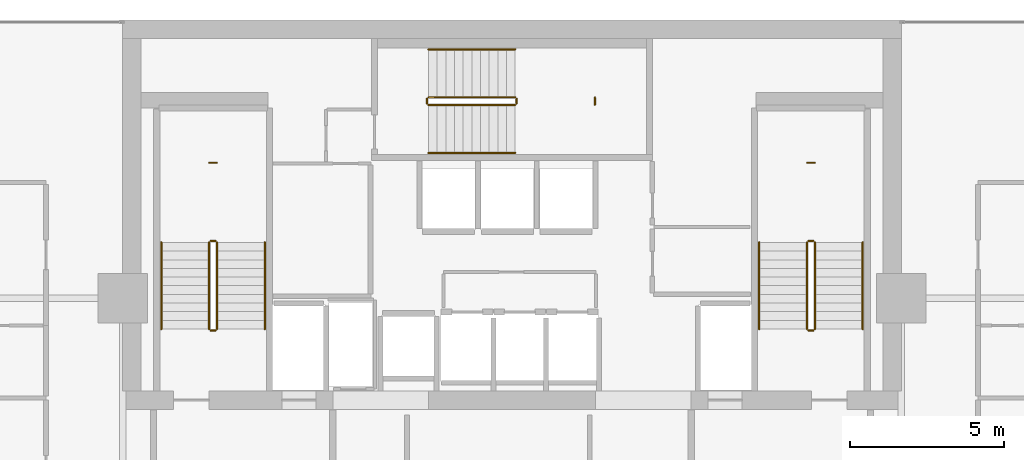
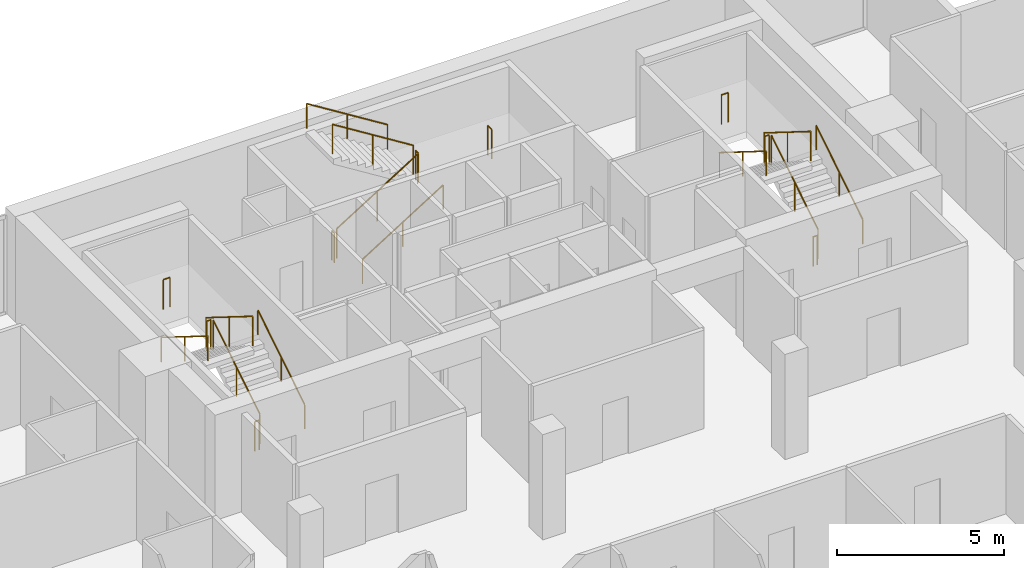
# One storey, part 25 of 25: 21 railings.
"""IFC4 building model written with IfcOpenShell, lengths in metres."""

from ifc_helpers import new_model, si_unit, direction, frame, origin, origin_2d, place, context, subcontext, project, spatial, circle, extrude, material, type_object, element, save


model = new_model("IFC4")

# Units and contexts
model_context = context("Model", 3, precision=1e-05, world=origin(), true_north=direction((0.0, 1.0)))
body_context = subcontext(model_context, "Body", "Model", "MODEL_VIEW")
ifc_project = project(units=[si_unit("LENGTHUNIT", "METRE"), si_unit("AREAUNIT", "SQUARE_METRE"), si_unit("VOLUMEUNIT", "CUBIC_METRE"), si_unit("PLANEANGLEUNIT", "RADIAN"), si_unit("MASSUNIT", "GRAM", prefix="KILO")], contexts=[model_context])

# Site, building, storey
site_placement = place(None, origin())
site = spatial("IfcSite", under=ifc_project, at=site_placement, CompositionType="ELEMENT")
building_placement = place(site_placement, origin())
building = spatial("IfcBuilding", under=site, at=building_placement, Name="Maruvema Waterfront Hotel and Observation Tower", CompositionType="ELEMENT")
storey_placement = place(building_placement, frame((0.0, 0.0, 270.199951171875)))
storey = spatial("IfcBuildingStorey", under=building, at=storey_placement, Name="L66", CompositionType="ELEMENT", Elevation=270.199951171875)

# Railings
ifc_material_1 = material(Name="Brushed stainless steel Grade 316", Category="steel")
railing_type_1 = type_object("IfcRailingType", Name="Ramp Continuous Wall Handrail 920 mm", PredefinedType="HANDRAIL", material=ifc_material_1)
railing_1_placement = place(storey_placement, frame((29.800048828125, 44.0, 0.175048828125)))
element("IfcRailing", 1, at=railing_1_placement, inside=storey, type_object=railing_type_1, Name="L66 ST-01 stair handrail 1", PredefinedType="HANDRAIL", context=body_context, shape_type="SweptSolid", body=[
    extrude(circle(Radius=0.02392578125, at=origin_2d()), frame((0.0, 0.0, 0.89599609375), z_axis=(0.0, 0.848002457836, 0.529992293815), x_axis=(-1.0, 0.0, 0.0)), (0.0, 0.0, 1.0), 3.302001953125),
    extrude(circle(Radius=0.02099609375, at=origin_2d()), origin(), (0.0, 0.0, 1.0), 0.871826171875),
    extrude(circle(Radius=0.02099609375, at=origin_2d()), frame((0.0, 1.39990234375, 0.875)), (0.0, 0.0, 1.0), 0.871826171875),
    extrude(circle(Radius=0.02099609375, at=origin_2d()), frame((0.0, 2.800048828125, 1.75)), (0.0, 0.0, 1.0), 0.871826171875),
])
railing_2_placement = place(storey_placement, frame((26.449951171875, 46.800048828125, 2.10009765625)))
element("IfcRailing", 2, at=railing_2_placement, inside=storey, type_object=railing_type_1, Name="L66 ST-01 stair handrail 2", PredefinedType="HANDRAIL", context=body_context, shape_type="SweptSolid", body=[
    extrude(circle(Radius=0.02392578125, at=origin_2d()), frame((0.0, 0.0, 0.89599609375), z_axis=(0.0, -0.848002457836, 0.529992293815), x_axis=(1.0, 0.0, 0.0)), (0.0, 0.0, 1.0), 3.302001953125),
    extrude(circle(Radius=0.02099609375, at=origin_2d()), origin(), (0.0, 0.0, 1.0), 0.871826171875),
    extrude(circle(Radius=0.02099609375, at=origin_2d()), frame((0.0, -1.39990234375, 0.875)), (0.0, 0.0, 1.0), 0.871826171875),
    extrude(circle(Radius=0.02099609375, at=origin_2d()), frame((0.0, -2.800048828125, 1.75)), (0.0, 0.0, 1.0), 0.871826171875),
])
railing_3_placement = place(storey_placement, frame((35.10009765625, 49.699951171875, 0.175048828125)))
element("IfcRailing", 3, at=railing_3_placement, inside=storey, type_object=railing_type_1, Name="L66 ST-02 stair handrail 1", PredefinedType="HANDRAIL", context=body_context, shape_type="SweptSolid", body=[
    extrude(circle(Radius=0.02392578125, at=origin_2d()), frame((0.0, 0.0, 0.89599609375), z_axis=(0.847981687118, 0.0, 0.530025526095), x_axis=(0.0, 1.0, 0.0)), (0.0, 0.0, 1.0), 3.3017578125),
    extrude(circle(Radius=0.02099609375, at=origin_2d()), origin(), (0.0, 0.0, 1.0), 0.871826171875),
    extrude(circle(Radius=0.02099609375, at=origin_2d()), frame((1.39990234375, 0.0, 0.875)), (0.0, 0.0, 1.0), 0.871826171875),
    extrude(circle(Radius=0.02099609375, at=origin_2d()), frame((2.7998046875, 0.0, 1.75)), (0.0, 0.0, 1.0), 0.871826171875),
])
railing_4_placement = place(storey_placement, frame((37.89990234375, 53.050048828125, 2.10009765625)))
element("IfcRailing", 4, at=railing_4_placement, inside=storey, type_object=railing_type_1, Name="L66 ST-02 stair handrail 2", PredefinedType="HANDRAIL", context=body_context, shape_type="SweptSolid", body=[
    extrude(circle(Radius=0.02392578125, at=origin_2d()), frame((0.0, 0.0, 0.89599609375), z_axis=(-0.847981687118, 0.0, 0.530025526095), x_axis=(0.0, -1.0, 0.0)), (0.0, 0.0, 1.0), 3.3017578125),
    extrude(circle(Radius=0.02099609375, at=origin_2d()), origin(), (0.0, 0.0, 1.0), 0.871826171875),
    extrude(circle(Radius=0.02099609375, at=origin_2d()), frame((-1.39990234375, 0.0, 0.875)), (0.0, 0.0, 1.0), 0.871826171875),
    extrude(circle(Radius=0.02099609375, at=origin_2d()), frame((-2.7998046875, 0.0, 1.75)), (0.0, 0.0, 1.0), 0.871826171875),
])
railing_5_placement = place(storey_placement, frame((49.14990234375, 44.0, 0.175048828125)))
element("IfcRailing", 5, at=railing_5_placement, inside=storey, type_object=railing_type_1, Name="L66 ST-03 stair handrail 1", PredefinedType="HANDRAIL", context=body_context, shape_type="SweptSolid", body=[
    extrude(circle(Radius=0.02392578125, at=origin_2d()), frame((0.0, 0.0, 0.89599609375), z_axis=(0.0, 0.848002457836, 0.529992293815), x_axis=(-1.0, 0.0, 0.0)), (0.0, 0.0, 1.0), 3.302001953125),
    extrude(circle(Radius=0.02099609375, at=origin_2d()), origin(), (0.0, 0.0, 1.0), 0.871826171875),
    extrude(circle(Radius=0.02099609375, at=origin_2d()), frame((0.0, 1.39990234375, 0.875)), (0.0, 0.0, 1.0), 0.871826171875),
    extrude(circle(Radius=0.02099609375, at=origin_2d()), frame((0.0, 2.800048828125, 1.75)), (0.0, 0.0, 1.0), 0.871826171875),
])
railing_6_placement = place(storey_placement, frame((45.800048828125, 46.800048828125, 2.10009765625)))
element("IfcRailing", 6, at=railing_6_placement, inside=storey, type_object=railing_type_1, Name="L66 ST-03 stair handrail 2", PredefinedType="HANDRAIL", context=body_context, shape_type="SweptSolid", body=[
    extrude(circle(Radius=0.02392578125, at=origin_2d()), frame((0.0, 0.0, 0.89599609375), z_axis=(0.0, -0.848002457836, 0.529992293815), x_axis=(1.0, 0.0, 0.0)), (0.0, 0.0, 1.0), 3.302001953125),
    extrude(circle(Radius=0.02099609375, at=origin_2d()), origin(), (0.0, 0.0, 1.0), 0.871826171875),
    extrude(circle(Radius=0.02099609375, at=origin_2d()), frame((0.0, -1.39990234375, 0.875)), (0.0, 0.0, 1.0), 0.871826171875),
    extrude(circle(Radius=0.02099609375, at=origin_2d()), frame((0.0, -2.800048828125, 1.75)), (0.0, 0.0, 1.0), 0.871826171875),
])
ifc_material_2 = material(Name="Brushed stainless steel Grade 316", Category="steel")
railing_type_2 = type_object("IfcRailingType", Name="Ramp and Terrace Guard Balustrade 1100 mm", PredefinedType="BALUSTRADE", material=ifc_material_2)
railing_7_placement = place(storey_placement, frame((28.25, 44.0, 0.175048828125)))
element("IfcRailing", 7, at=railing_7_placement, inside=storey, type_object=railing_type_2, Name="L66 ST-01 stair guard 1", PredefinedType="BALUSTRADE", context=body_context, shape_type="SweptSolid", body=[
    extrude(circle(Radius=0.02392578125, at=origin_2d()), frame((0.0, 0.0, 1.076171875), z_axis=(0.0, 0.848002457836, 0.529992293815), x_axis=(-1.0, 0.0, 0.0)), (0.0, 0.0, 1.0), 3.302001953125),
    extrude(circle(Radius=0.02099609375, at=origin_2d()), origin(), (0.0, 0.0, 1.0), 1.052001953125),
    extrude(circle(Radius=0.02099609375, at=origin_2d()), frame((0.0, 1.39990234375, 0.875)), (0.0, 0.0, 1.0), 1.052001953125),
    extrude(circle(Radius=0.02099609375, at=origin_2d()), frame((0.0, 2.800048828125, 1.75)), (0.0, 0.0, 1.0), 1.052001953125),
])
railing_8_placement = place(storey_placement, frame((28.199951171875, 46.85009765625, 1.925048828125)))
element("IfcRailing", 8, at=railing_8_placement, inside=storey, type_object=railing_type_2, Name="L66 ST-01 stair guard 2", PredefinedType="BALUSTRADE", context=body_context, shape_type="SweptSolid", body=[
    extrude(circle(Radius=0.02392578125, at=origin_2d()), frame((0.0, 0.0, 1.076171875), z_axis=(-1.0, 0.0, 0.0), x_axis=(0.0, -1.0, 0.0)), (0.0, 0.0, 1.0), 0.14990234375),
    extrude(circle(Radius=0.02099609375, at=origin_2d()), origin(), (0.0, 0.0, 1.0), 1.052001953125),
    extrude(circle(Radius=0.02099609375, at=origin_2d()), frame((-0.14990234375, 0.0, 0.0)), (0.0, 0.0, 1.0), 1.052001953125),
])
railing_9_placement = place(storey_placement, frame((28.0, 46.800048828125, 2.10009765625)))
element("IfcRailing", 9, at=railing_9_placement, inside=storey, type_object=railing_type_2, Name="L66 ST-01 stair guard 3", PredefinedType="BALUSTRADE", context=body_context, shape_type="SweptSolid", body=[
    extrude(circle(Radius=0.02392578125, at=origin_2d()), frame((0.0, 0.0, 1.076171875), z_axis=(0.0, -0.848002457836, 0.529992293815), x_axis=(1.0, 0.0, 0.0)), (0.0, 0.0, 1.0), 3.302001953125),
    extrude(circle(Radius=0.02099609375, at=origin_2d()), origin(), (0.0, 0.0, 1.0), 1.052001953125),
    extrude(circle(Radius=0.02099609375, at=origin_2d()), frame((0.0, -1.39990234375, 0.875)), (0.0, 0.0, 1.0), 1.052001953125),
    extrude(circle(Radius=0.02099609375, at=origin_2d()), frame((0.0, -2.800048828125, 1.75)), (0.0, 0.0, 1.0), 1.052001953125),
])
railing_10_placement = place(storey_placement, frame((28.199951171875, 43.949951171875, 0.0)))
element("IfcRailing", 10, at=railing_10_placement, inside=storey, type_object=railing_type_2, Name="L66 ST-01 stair guard 4", PredefinedType="BALUSTRADE", context=body_context, shape_type="SweptSolid", body=[
    extrude(circle(Radius=0.02392578125, at=origin_2d()), frame((0.0, 0.0, 1.076171875), z_axis=(-1.0, 0.0, 0.0), x_axis=(0.0, -1.0, 0.0)), (0.0, 0.0, 1.0), 0.14990234375),
    extrude(circle(Radius=0.02099609375, at=origin_2d()), origin(), (0.0, 0.0, 1.0), 1.052001953125),
    extrude(circle(Radius=0.02099609375, at=origin_2d()), frame((-0.14990234375, 0.0, 0.0)), (0.0, 0.0, 1.0), 1.052001953125),
])
railing_11_placement = place(storey_placement, frame((28.239990234375, 49.3798828125, 1.925048828125)))
element("IfcRailing", 11, at=railing_11_placement, inside=storey, type_object=railing_type_2, Name="L66 ST-01 Half-Landing Slot Guard", PredefinedType="BALUSTRADE", context=body_context, shape_type="SweptSolid", body=[
    extrude(circle(Radius=0.02392578125, at=origin_2d()), frame((0.0, 0.0, 1.076171875), z_axis=(-1.0, 0.0, 0.0), x_axis=(0.0, -1.0, 0.0)), (0.0, 0.0, 1.0), 0.22998046875),
    extrude(circle(Radius=0.02099609375, at=origin_2d()), origin(), (0.0, 0.0, 1.0), 1.052001953125),
    extrude(circle(Radius=0.02099609375, at=origin_2d()), frame((-0.22998046875, 0.0, 0.0)), (0.0, 0.0, 1.0), 1.052001953125),
])
railing_12_placement = place(storey_placement, frame((35.10009765625, 51.25, 0.175048828125)))
element("IfcRailing", 12, at=railing_12_placement, inside=storey, type_object=railing_type_2, Name="L66 ST-02 stair guard 1", PredefinedType="BALUSTRADE", context=body_context, shape_type="SweptSolid", body=[
    extrude(circle(Radius=0.02392578125, at=origin_2d()), frame((0.0, 0.0, 1.076171875), z_axis=(0.847981687118, 0.0, 0.530025526095), x_axis=(0.0, 1.0, 0.0)), (0.0, 0.0, 1.0), 3.3017578125),
    extrude(circle(Radius=0.02099609375, at=origin_2d()), origin(), (0.0, 0.0, 1.0), 1.052001953125),
    extrude(circle(Radius=0.02099609375, at=origin_2d()), frame((1.39990234375, 0.0, 0.875)), (0.0, 0.0, 1.0), 1.052001953125),
    extrude(circle(Radius=0.02099609375, at=origin_2d()), frame((2.7998046875, 0.0, 1.75)), (0.0, 0.0, 1.0), 1.052001953125),
])
railing_13_placement = place(storey_placement, frame((37.949951171875, 51.300048828125, 1.925048828125)))
element("IfcRailing", 13, at=railing_13_placement, inside=storey, type_object=railing_type_2, Name="L66 ST-02 stair guard 2", PredefinedType="BALUSTRADE", context=body_context, shape_type="SweptSolid", body=[
    extrude(circle(Radius=0.02392578125, at=origin_2d()), frame((0.0, 0.0, 1.076171875), z_axis=(0.0, 1.0, 0.0), x_axis=(-1.0, 0.0, 0.0)), (0.0, 0.0, 1.0), 0.14990234375),
    extrude(circle(Radius=0.02099609375, at=origin_2d()), origin(), (0.0, 0.0, 1.0), 1.052001953125),
    extrude(circle(Radius=0.02099609375, at=origin_2d()), frame((0.0, 0.14990234375, 0.0)), (0.0, 0.0, 1.0), 1.052001953125),
])
railing_14_placement = place(storey_placement, frame((37.89990234375, 51.5, 2.10009765625)))
element("IfcRailing", 14, at=railing_14_placement, inside=storey, type_object=railing_type_2, Name="L66 ST-02 stair guard 3", PredefinedType="BALUSTRADE", context=body_context, shape_type="SweptSolid", body=[
    extrude(circle(Radius=0.02392578125, at=origin_2d()), frame((0.0, 0.0, 1.076171875), z_axis=(-0.847981687118, 0.0, 0.530025526095), x_axis=(0.0, -1.0, 0.0)), (0.0, 0.0, 1.0), 3.3017578125),
    extrude(circle(Radius=0.02099609375, at=origin_2d()), origin(), (0.0, 0.0, 1.0), 1.052001953125),
    extrude(circle(Radius=0.02099609375, at=origin_2d()), frame((-1.39990234375, 0.0, 0.875)), (0.0, 0.0, 1.0), 1.052001953125),
    extrude(circle(Radius=0.02099609375, at=origin_2d()), frame((-2.7998046875, 0.0, 1.75)), (0.0, 0.0, 1.0), 1.052001953125),
])
railing_15_placement = place(storey_placement, frame((35.050048828125, 51.300048828125, 0.0)))
element("IfcRailing", 15, at=railing_15_placement, inside=storey, type_object=railing_type_2, Name="L66 ST-02 stair guard 4", PredefinedType="BALUSTRADE", context=body_context, shape_type="SweptSolid", body=[
    extrude(circle(Radius=0.02392578125, at=origin_2d()), frame((0.0, 0.0, 1.076171875), z_axis=(0.0, 1.0, 0.0), x_axis=(-1.0, 0.0, 0.0)), (0.0, 0.0, 1.0), 0.14990234375),
    extrude(circle(Radius=0.02099609375, at=origin_2d()), origin(), (0.0, 0.0, 1.0), 1.052001953125),
    extrude(circle(Radius=0.02099609375, at=origin_2d()), frame((0.0, 0.14990234375, 0.0)), (0.0, 0.0, 1.0), 1.052001953125),
])
railing_16_placement = place(storey_placement, frame((40.47998046875, 51.260009765625, 1.925048828125)))
element("IfcRailing", 16, at=railing_16_placement, inside=storey, type_object=railing_type_2, Name="L66 ST-02 Half-Landing Slot Guard", PredefinedType="BALUSTRADE", context=body_context, shape_type="SweptSolid", body=[
    extrude(circle(Radius=0.02392578125, at=origin_2d()), frame((0.0, 0.0, 1.076171875), z_axis=(0.0, 1.0, 0.0), x_axis=(-1.0, 0.0, 0.0)), (0.0, 0.0, 1.0), 0.22998046875),
    extrude(circle(Radius=0.02099609375, at=origin_2d()), origin(), (0.0, 0.0, 1.0), 1.052001953125),
    extrude(circle(Radius=0.02099609375, at=origin_2d()), frame((0.0, 0.22998046875, 0.0)), (0.0, 0.0, 1.0), 1.052001953125),
])
railing_17_placement = place(storey_placement, frame((47.60009765625, 44.0, 0.175048828125)))
element("IfcRailing", 17, at=railing_17_placement, inside=storey, type_object=railing_type_2, Name="L66 ST-03 stair guard 1", PredefinedType="BALUSTRADE", context=body_context, shape_type="SweptSolid", body=[
    extrude(circle(Radius=0.02392578125, at=origin_2d()), frame((0.0, 0.0, 1.076171875), z_axis=(0.0, 0.848002457836, 0.529992293815), x_axis=(-1.0, 0.0, 0.0)), (0.0, 0.0, 1.0), 3.302001953125),
    extrude(circle(Radius=0.02099609375, at=origin_2d()), origin(), (0.0, 0.0, 1.0), 1.052001953125),
    extrude(circle(Radius=0.02099609375, at=origin_2d()), frame((0.0, 1.39990234375, 0.875)), (0.0, 0.0, 1.0), 1.052001953125),
    extrude(circle(Radius=0.02099609375, at=origin_2d()), frame((0.0, 2.800048828125, 1.75)), (0.0, 0.0, 1.0), 1.052001953125),
])
railing_18_placement = place(storey_placement, frame((47.550048828125, 46.85009765625, 1.925048828125)))
element("IfcRailing", 18, at=railing_18_placement, inside=storey, type_object=railing_type_2, Name="L66 ST-03 stair guard 2", PredefinedType="BALUSTRADE", context=body_context, shape_type="SweptSolid", body=[
    extrude(circle(Radius=0.02392578125, at=origin_2d()), frame((0.0, 0.0, 1.076171875), z_axis=(-1.0, 0.0, 0.0), x_axis=(0.0, -1.0, 0.0)), (0.0, 0.0, 1.0), 0.150146484375),
    extrude(circle(Radius=0.02099609375, at=origin_2d()), origin(), (0.0, 0.0, 1.0), 1.052001953125),
    extrude(circle(Radius=0.02099609375, at=origin_2d()), frame((-0.150146484375, 0.0, 0.0)), (0.0, 0.0, 1.0), 1.052001953125),
])
railing_19_placement = place(storey_placement, frame((47.35009765625, 46.800048828125, 2.10009765625)))
element("IfcRailing", 19, at=railing_19_placement, inside=storey, type_object=railing_type_2, Name="L66 ST-03 stair guard 3", PredefinedType="BALUSTRADE", context=body_context, shape_type="SweptSolid", body=[
    extrude(circle(Radius=0.02392578125, at=origin_2d()), frame((0.0, 0.0, 1.076171875), z_axis=(0.0, -0.848002457836, 0.529992293815), x_axis=(1.0, 0.0, 0.0)), (0.0, 0.0, 1.0), 3.302001953125),
    extrude(circle(Radius=0.02099609375, at=origin_2d()), origin(), (0.0, 0.0, 1.0), 1.052001953125),
    extrude(circle(Radius=0.02099609375, at=origin_2d()), frame((0.0, -1.39990234375, 0.875)), (0.0, 0.0, 1.0), 1.052001953125),
    extrude(circle(Radius=0.02099609375, at=origin_2d()), frame((0.0, -2.800048828125, 1.75)), (0.0, 0.0, 1.0), 1.052001953125),
])
railing_20_placement = place(storey_placement, frame((47.550048828125, 43.949951171875, 0.0)))
element("IfcRailing", 20, at=railing_20_placement, inside=storey, type_object=railing_type_2, Name="L66 ST-03 stair guard 4", PredefinedType="BALUSTRADE", context=body_context, shape_type="SweptSolid", body=[
    extrude(circle(Radius=0.02392578125, at=origin_2d()), frame((0.0, 0.0, 1.076171875), z_axis=(-1.0, 0.0, 0.0), x_axis=(0.0, -1.0, 0.0)), (0.0, 0.0, 1.0), 0.150146484375),
    extrude(circle(Radius=0.02099609375, at=origin_2d()), origin(), (0.0, 0.0, 1.0), 1.052001953125),
    extrude(circle(Radius=0.02099609375, at=origin_2d()), frame((-0.150146484375, 0.0, 0.0)), (0.0, 0.0, 1.0), 1.052001953125),
])
railing_21_placement = place(storey_placement, frame((47.590087890625, 49.3798828125, 1.925048828125)))
element("IfcRailing", 21, at=railing_21_placement, inside=storey, type_object=railing_type_2, Name="L66 ST-03 Half-Landing Slot Guard", PredefinedType="BALUSTRADE", context=body_context, shape_type="SweptSolid", body=[
    extrude(circle(Radius=0.02392578125, at=origin_2d()), frame((0.0, 0.0, 1.076171875), z_axis=(-1.0, 0.0, 0.0), x_axis=(0.0, -1.0, 0.0)), (0.0, 0.0, 1.0), 0.22998046875),
    extrude(circle(Radius=0.02099609375, at=origin_2d()), origin(), (0.0, 0.0, 1.0), 1.052001953125),
    extrude(circle(Radius=0.02099609375, at=origin_2d()), frame((-0.22998046875, 0.0, 0.0)), (0.0, 0.0, 1.0), 1.052001953125),
])

save(model, "model.ifc")
